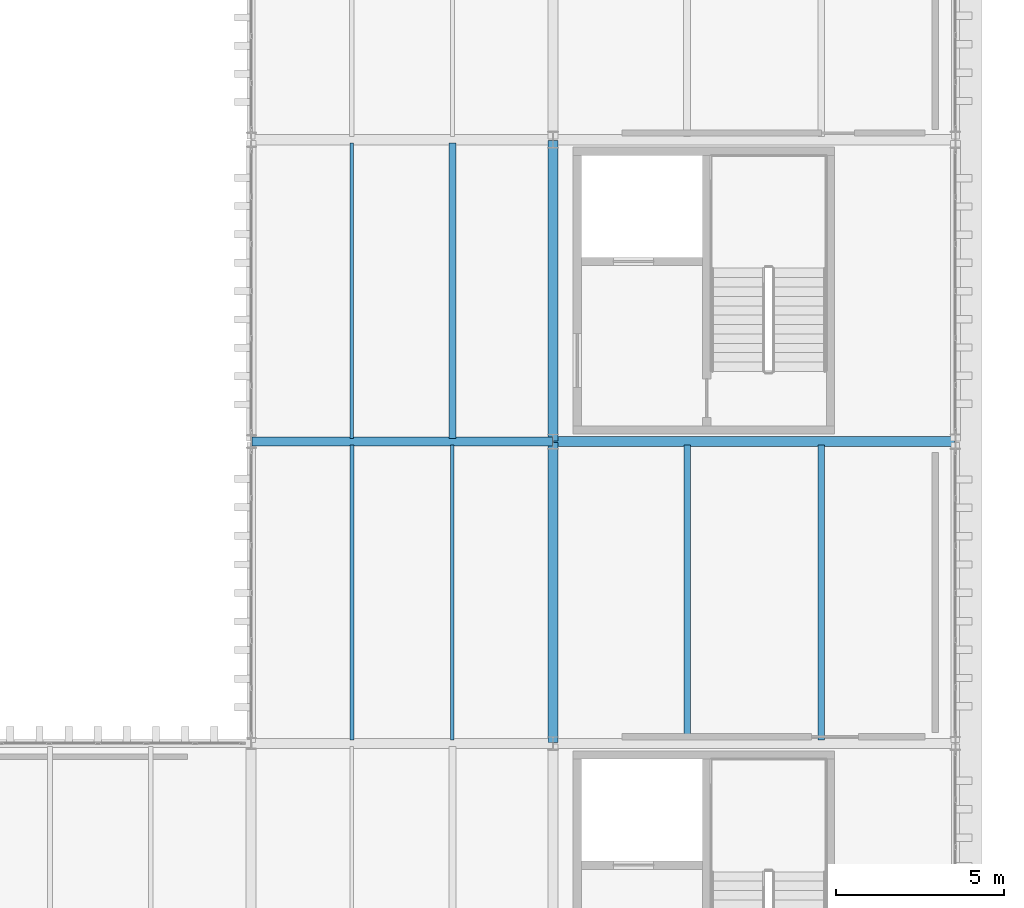
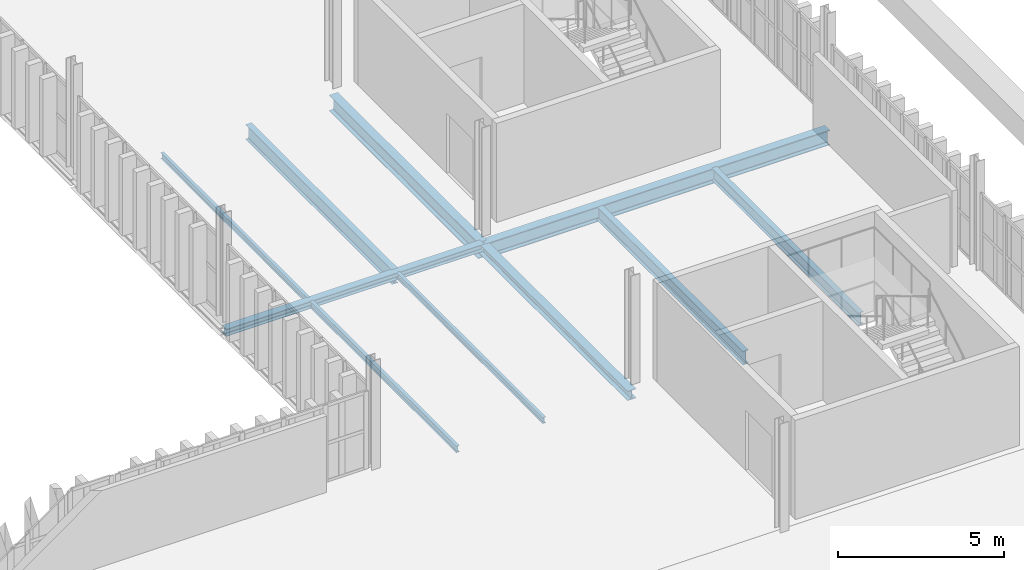
# One storey, part 63 of 102: 10 beams.
"""IFC4 building model written with IfcOpenShell, lengths in metres."""

from ifc_helpers import new_model, si_unit, direction, frame, origin, origin_2d, place, context, subcontext, project, spatial, i_section, extrude, material, material_profile, profile_set, type_object, element, save


model = new_model("IFC4")

# Units and contexts
model_context = context("Model", 3, precision=1e-05, world=origin(), true_north=direction((0.0, 1.0)))
body_context = subcontext(model_context, "Body", "Model", "MODEL_VIEW")
ifc_project = project(units=[si_unit("LENGTHUNIT", "METRE"), si_unit("AREAUNIT", "SQUARE_METRE"), si_unit("VOLUMEUNIT", "CUBIC_METRE"), si_unit("PLANEANGLEUNIT", "RADIAN"), si_unit("MASSUNIT", "GRAM", prefix="KILO")], contexts=[model_context])

# Site, building, storey
site_placement = place(None, origin())
site = spatial("IfcSite", under=ifc_project, at=site_placement, CompositionType="ELEMENT")
building_placement = place(site_placement, origin())
building = spatial("IfcBuilding", under=site, at=building_placement, Name="Barlavento Convention Centre", CompositionType="ELEMENT")
storey_placement = place(building_placement, frame((0.0, 0.0, 22.800048828125)))
storey = spatial("IfcBuildingStorey", under=building, at=storey_placement, Name="L04", CompositionType="ELEMENT", Elevation=22.800048828125)

# Beams
ifc_material = material(Name="Steel S355", Category="steel")
ifc_material_profile_1 = material_profile(ifc_material, i_section(OverallWidth=0.110107421875, OverallDepth=0.219970703125, WebThickness=0.005859375, FlangeThickness=0.00927734375, FilletRadius=0.011962890625, at=origin_2d()), Name="IPE 220")
ifc_profile_set_1 = profile_set([ifc_material_profile_1], Name="Steel S355")
beam_type_1 = type_object("IfcBeamType", Name="STR-BM-JST-IPE220", PredefinedType="JOIST", material=ifc_profile_set_1)
for number, where, z_axis, x_axis, name in (
    (1, (177.0, 63.094970703125, -0.469970703125), (0.0, 1.0, 0.0), (-1.0, 0.0, 0.0), "L04 composite floor joist SJ10"),
    (2, (174.0, 72.094970703125, -0.469970703125), (0.0, 1.0, 0.0), (-1.0, 0.0, 0.0), "L04 composite floor joist SJ10"),
):
    element("IfcBeam", number, at=place(storey_placement, frame(where, z_axis=z_axis, x_axis=x_axis)), inside=storey, type_object=beam_type_1, Name=name, PredefinedType="JOIST", context=body_context, shape_type="SweptSolid", body=[
        extrude(i_section(OverallWidth=0.110107421875, OverallDepth=0.219970703125, WebThickness=0.005859375, FlangeThickness=0.00927734375, FilletRadius=0.011962890625, at=origin_2d()), origin(), (0.0, 0.0, 1.0), 8.81005859375),
    ])
ifc_material_profile_2 = material_profile(ifc_material, i_section(OverallWidth=0.1201171875, OverallDepth=0.239990234375, WebThickness=0.006103515625, FlangeThickness=0.009765625, FilletRadius=0.014892578125, at=origin_2d()), Name="IPE 240")
ifc_profile_set_2 = profile_set([ifc_material_profile_2], Name="Steel S355")
beam_type_2 = type_object("IfcBeamType", Name="STR-BM-JST-IPE240", PredefinedType="JOIST", material=ifc_profile_set_2)
beam_1_placement = place(storey_placement, frame((174.0, 63.094970703125, -0.47998046875), z_axis=(0.0, 1.0, 0.0), x_axis=(-1.0, 0.0, 0.0)))
element("IfcBeam", 3, at=beam_1_placement, inside=storey, type_object=beam_type_2, Name="L04 composite floor joist SJ09", PredefinedType="JOIST", context=body_context, shape_type="SweptSolid", body=[
    extrude(i_section(OverallWidth=0.1201171875, OverallDepth=0.239990234375, WebThickness=0.006103515625, FlangeThickness=0.009765625, FilletRadius=0.014892578125, at=origin_2d()), origin(), (0.0, 0.0, 1.0), 8.81005859375),
])
ifc_material_profile_3 = material_profile(ifc_material, i_section(OverallWidth=0.18994140625, OverallDepth=0.449951171875, WebThickness=0.009521484375, FlangeThickness=0.0146484375, FilletRadius=0.02099609375, at=origin_2d()), Name="IPE 450")
ifc_profile_set_3 = profile_set([ifc_material_profile_3], Name="Steel S355")
beam_type_3 = type_object("IfcBeamType", Name="STR-BM-JST-IPE450", PredefinedType="JOIST", material=ifc_profile_set_3)
beam_2_placement = place(storey_placement, frame((188.0, 63.094970703125, -0.5849609375), z_axis=(0.0, 1.0, 0.0), x_axis=(-1.0, 0.0, 0.0)))
element("IfcBeam", 4, at=beam_2_placement, inside=storey, type_object=beam_type_3, Name="L04 composite floor joist SJ03", PredefinedType="JOIST", context=body_context, shape_type="SweptSolid", body=[
    extrude(i_section(OverallWidth=0.18994140625, OverallDepth=0.449951171875, WebThickness=0.009521484375, FlangeThickness=0.0146484375, FilletRadius=0.02099609375, at=origin_2d()), origin(), (0.0, 0.0, 1.0), 8.81005859375),
])
ifc_material_profile_4 = material_profile(ifc_material, i_section(OverallWidth=0.199951171875, OverallDepth=0.5, WebThickness=0.01025390625, FlangeThickness=0.01611328125, FilletRadius=0.02099609375, at=origin_2d()), Name="IPE 500")
ifc_profile_set_4 = profile_set([ifc_material_profile_4], Name="Steel S355")
beam_type_4 = type_object("IfcBeamType", Name="STR-BM-JST-IPE500", PredefinedType="JOIST", material=ifc_profile_set_4)
beam_3_placement = place(storey_placement, frame((184.0, 63.094970703125, -0.610107421875), z_axis=(0.0, 1.0, 0.0), x_axis=(-1.0, 0.0, 0.0)))
element("IfcBeam", 5, at=beam_3_placement, inside=storey, type_object=beam_type_4, Name="L04 composite floor joist SJ02", PredefinedType="JOIST", context=body_context, shape_type="SweptSolid", body=[
    extrude(i_section(OverallWidth=0.199951171875, OverallDepth=0.5, WebThickness=0.01025390625, FlangeThickness=0.01611328125, FilletRadius=0.02099609375, at=origin_2d()), origin(), (0.0, 0.0, 1.0), 8.81005859375),
])
ifc_material_profile_5 = material_profile(ifc_material, i_section(OverallWidth=0.2099609375, OverallDepth=0.550048828125, WebThickness=0.010986328125, FlangeThickness=0.01708984375, FilletRadius=0.02392578125, at=origin_2d()), Name="IPE 550")
ifc_profile_set_5 = profile_set([ifc_material_profile_5], Name="Steel S355")
beam_type_5 = type_object("IfcBeamType", Name="STR-BM-JST-IPE550", PredefinedType="JOIST", material=ifc_profile_set_5)
beam_4_placement = place(storey_placement, frame((177.0, 72.094970703125, -0.635009765625), z_axis=(0.0, 1.0, 0.0), x_axis=(-1.0, 0.0, 0.0)))
element("IfcBeam", 6, at=beam_4_placement, inside=storey, type_object=beam_type_5, Name="L04 composite floor joist SJ01", PredefinedType="JOIST", context=body_context, shape_type="SweptSolid", body=[
    extrude(i_section(OverallWidth=0.2099609375, OverallDepth=0.550048828125, WebThickness=0.010986328125, FlangeThickness=0.01708984375, FilletRadius=0.02392578125, at=origin_2d()), origin(), (0.0, 0.0, 1.0), 8.81005859375),
])
ifc_material_profile_6 = material_profile(ifc_material, i_section(OverallWidth=0.300048828125, OverallDepth=0.35009765625, WebThickness=0.010009765625, FlangeThickness=0.017578125, FilletRadius=0.027099609375, at=origin_2d()), Name="HEA 360")
ifc_profile_set_6 = profile_set([ifc_material_profile_6], Name="Steel S355")
beam_type_6 = type_object("IfcBeamType", Name="STR-BM-PRI-HEA360", PredefinedType="BEAM", material=ifc_profile_set_6)
beam_5_placement = place(storey_placement, frame((180.0, 63.02001953125, -0.53515625), z_axis=(0.0, 1.0, 0.0), x_axis=(-1.0, 0.0, 0.0)))
element("IfcBeam", 7, at=beam_5_placement, inside=storey, type_object=beam_type_6, Name="L04 grid girder BG23", PredefinedType="BEAM", context=body_context, shape_type="SweptSolid", body=[
    extrude(i_section(OverallWidth=0.300048828125, OverallDepth=0.35009765625, WebThickness=0.010009765625, FlangeThickness=0.017578125, FilletRadius=0.027099609375, at=origin_2d()), origin(), (0.0, 0.0, 1.0), 8.9599609375),
])
ifc_material_profile_7 = material_profile(ifc_material, i_section(OverallWidth=0.300048828125, OverallDepth=0.590087890625, WebThickness=0.012939453125, FlangeThickness=0.02490234375, FilletRadius=0.027099609375, at=origin_2d()), Name="HEA 600")
ifc_profile_set_7 = profile_set([ifc_material_profile_7], Name="Steel S355")
beam_type_7 = type_object("IfcBeamType", Name="STR-BM-PRI-HEA600", PredefinedType="BEAM", material=ifc_profile_set_7)
beam_6_placement = place(storey_placement, frame((180.0, 72.02001953125, -0.655029296875), z_axis=(0.0, 1.0, 0.0), x_axis=(-1.0, 0.0, 0.0)))
element("IfcBeam", 8, at=beam_6_placement, inside=storey, type_object=beam_type_7, Name="L04 grid girder BG18", PredefinedType="BEAM", context=body_context, shape_type="SweptSolid", body=[
    extrude(i_section(OverallWidth=0.300048828125, OverallDepth=0.590087890625, WebThickness=0.012939453125, FlangeThickness=0.02490234375, FilletRadius=0.027099609375, at=origin_2d()), origin(), (0.0, 0.0, 1.0), 8.9599609375),
])
ifc_material_profile_8 = material_profile(ifc_material, i_section(OverallWidth=0.260009765625, OverallDepth=0.260009765625, WebThickness=0.010009765625, FlangeThickness=0.017578125, FilletRadius=0.02392578125, at=origin_2d()), Name="HEB 260")
ifc_profile_set_8 = profile_set([ifc_material_profile_8], Name="Steel S355")
beam_type_8 = type_object("IfcBeamType", Name="STR-BM-PRI-HEB260", PredefinedType="BEAM", material=ifc_profile_set_8)
beam_7_placement = place(storey_placement, frame((171.02001953125, 72.0, -0.489990234375), z_axis=(1.0, 0.0, 0.0), x_axis=(0.0, 1.0, 0.0)))
element("IfcBeam", 9, at=beam_7_placement, inside=storey, type_object=beam_type_8, Name="L04 primary girder BG16", PredefinedType="BEAM", context=body_context, shape_type="SweptSolid", body=[
    extrude(i_section(OverallWidth=0.260009765625, OverallDepth=0.260009765625, WebThickness=0.010009765625, FlangeThickness=0.017578125, FilletRadius=0.02392578125, at=origin_2d()), origin(), (0.0, 0.0, 1.0), 8.9599609375),
])
ifc_material_profile_9 = material_profile(ifc_material, i_section(OverallWidth=0.300048828125, OverallDepth=0.550048828125, WebThickness=0.014892578125, FlangeThickness=0.029052734375, FilletRadius=0.027099609375, at=origin_2d()), Name="HEB 550")
ifc_profile_set_9 = profile_set([ifc_material_profile_9], Name="Steel S355")
beam_type_9 = type_object("IfcBeamType", Name="STR-BM-PRI-HEB550", PredefinedType="BEAM", material=ifc_profile_set_9)
beam_8_placement = place(storey_placement, frame((180.02001953125, 72.0, -0.635009765625), z_axis=(1.0, 0.0, 0.0), x_axis=(0.0, 1.0, 0.0)))
element("IfcBeam", 10, at=beam_8_placement, inside=storey, type_object=beam_type_9, Name="L04 primary girder BG08", PredefinedType="BEAM", context=body_context, shape_type="SweptSolid", body=[
    extrude(i_section(OverallWidth=0.300048828125, OverallDepth=0.550048828125, WebThickness=0.014892578125, FlangeThickness=0.029052734375, FilletRadius=0.027099609375, at=origin_2d()), origin(), (0.0, 0.0, 1.0), 11.9599609375),
])

save(model, "model.ifc")
